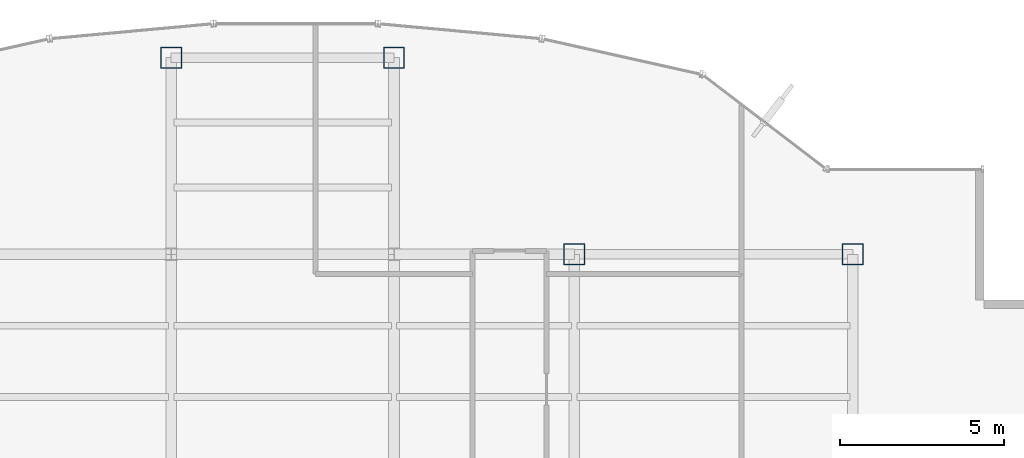
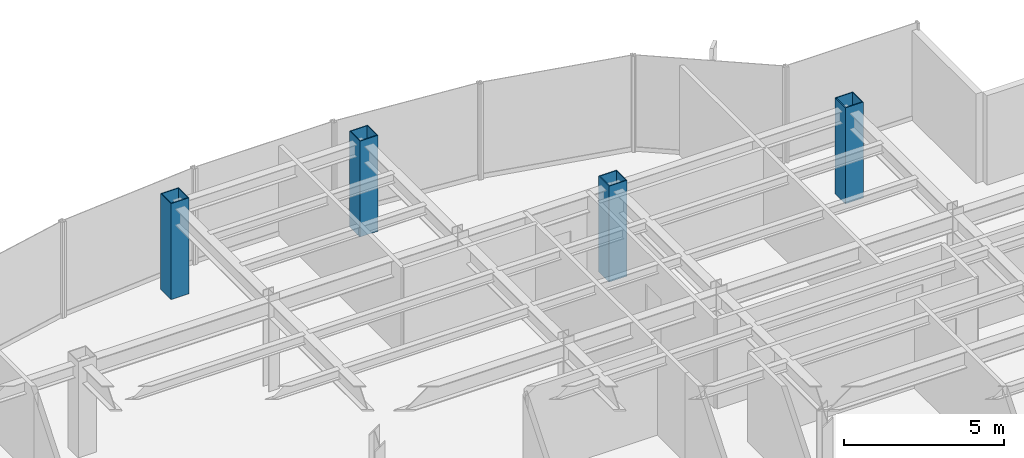
# One storey, part 2 of 25: 4 columns.
"""IFC4 building model written with IfcOpenShell, lengths in metres."""

from ifc_helpers import new_model, si_unit, derived_unit, direction, frame, origin, origin_2d, place, context, subcontext, project, spatial, hollow_rectangle, extrude, source, transform, mapped, material, material_profile, profile_set, type_object, element, save


model = new_model("IFC4")

# Units and contexts
model_context = context("Model", 3, precision=1e-05, world=origin(), true_north=direction((0.0, 1.0)))
body_context = subcontext(model_context, "Body", "Model", "MODEL_VIEW")
ifc_project = project(units=[si_unit("LENGTHUNIT", "METRE"), si_unit("AREAUNIT", "SQUARE_METRE"), si_unit("VOLUMEUNIT", "CUBIC_METRE"), si_unit("PLANEANGLEUNIT", "RADIAN"), si_unit("MASSUNIT", "GRAM", prefix="KILO"), derived_unit("THERMALTRANSMITTANCEUNIT", [(si_unit("POWERUNIT", "WATT"), 1), (si_unit("LENGTHUNIT", "METRE"), -2), (si_unit("THERMODYNAMICTEMPERATUREUNIT", "KELVIN"), -1)])], contexts=[model_context])

# Site, building, storey
site_placement = place(None, origin())
site = spatial("IfcSite", under=ifc_project, at=site_placement, CompositionType="ELEMENT")
building_placement = place(site_placement, origin())
building = spatial("IfcBuilding", under=site, at=building_placement, Name="Skarnbrae Concourse Arena and Tower", CompositionType="ELEMENT")
storey_placement = place(building_placement, frame((0.0, 0.0, 166.14990234375)))
storey = spatial("IfcBuildingStorey", under=building, at=storey_placement, Name="L42", CompositionType="ELEMENT", Elevation=166.14990234375)

# Columns
ifc_material = material(Name="Steel CSA G40.21 350W", Category="steel")
ifc_material_profile = material_profile(ifc_material, hollow_rectangle(XDim=0.64990234375, YDim=0.64990234375, WallThickness=0.031982421875, at=origin_2d()), Name="BOX650X650X32")
ifc_profile_set = profile_set([ifc_material_profile], Name="Steel CSA G40.21 350W")
column_type = type_object("IfcColumnType", Name="COL-TUBE-BOX650", PredefinedType="COLUMN", material=ifc_profile_set)
shared_shape = source(origin(), body_context, "Body", "SweptSolid", [
    extrude(hollow_rectangle(XDim=0.64990234375, YDim=0.64990234375, WallThickness=0.031982421875, at=origin_2d()), origin(), (0.0, 0.0, 1.0), 3.650146484375),
])
for number, where, z_axis, x_axis, name in (
    (1, (21.199951171875, 40.39990234375, 0.0), (0.0, 0.0, 1.0), (1.0, 0.0, 0.0), "L42 Tower column PC_04_06"),
    (2, (28.0, 40.39990234375, 0.0), (0.0, 0.0, 1.0), (1.0, 0.0, 0.0), "L42 Tower column PC_05_06"),
    (3, (33.5, 34.39990234375, 0.0), (0.0, 0.0, 1.0), (1.0, 0.0, 0.0), "L42 Tower column PC_06_05"),
    (4, (42.0, 34.39990234375, 0.0), (0.0, 0.0, 1.0), (1.0, 0.0, 0.0), "L42 Tower column PC_07_05"),
):
    element("IfcColumn", number, at=place(storey_placement, frame(where, z_axis=z_axis, x_axis=x_axis)), inside=storey, type_object=column_type, Name=name, PredefinedType="COLUMN", context=body_context, shape_type="MappedRepresentation", body=[
        mapped(shared_shape, transform((0.0, 0.0, 0.0))),
    ])

save(model, "model.ifc")
